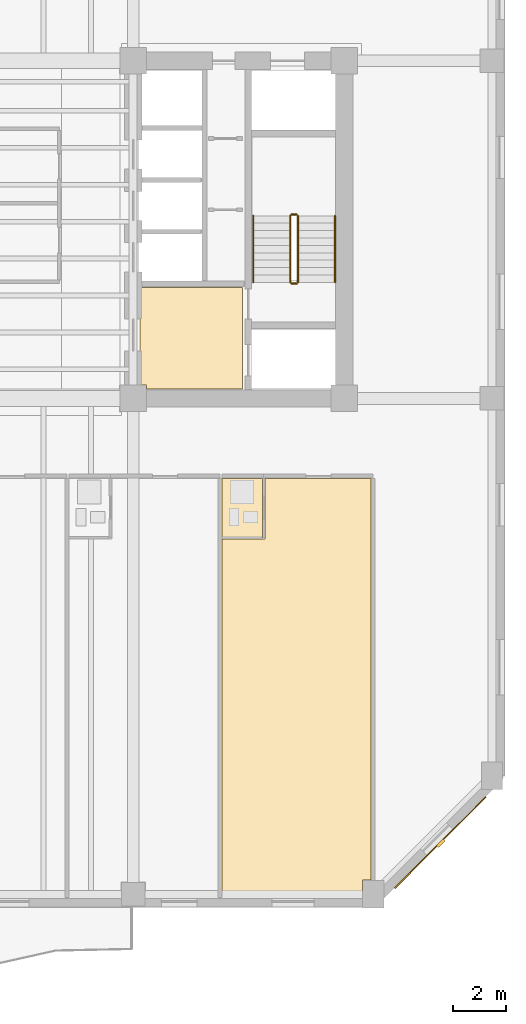
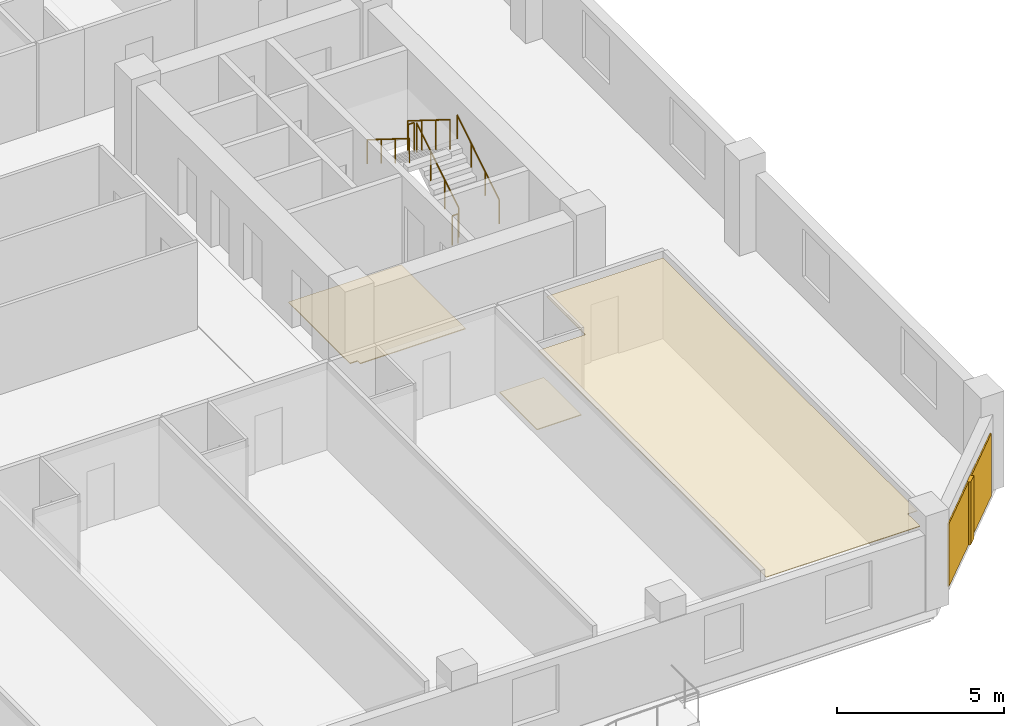
# One storey, part 9 of 11: 6 railings, 4 coverings, 1 shading device.
"""IFC4 building model written with IfcOpenShell, lengths in metres."""

from ifc_helpers import new_model, si_unit, direction, frame, origin, origin_2d, place, context, subcontext, project, spatial, polyline, rectangle, circle, outline, extrude, material, layer, layer_set, type_object, element, save


model = new_model("IFC4")

# Units and contexts
model_context = context("Model", 3, precision=1e-05, world=origin(), true_north=direction((0.0, 1.0)))
body_context = subcontext(model_context, "Body", "Model", "MODEL_VIEW")
ifc_project = project(units=[si_unit("LENGTHUNIT", "METRE"), si_unit("AREAUNIT", "SQUARE_METRE"), si_unit("VOLUMEUNIT", "CUBIC_METRE"), si_unit("PLANEANGLEUNIT", "RADIAN"), si_unit("MASSUNIT", "GRAM", prefix="KILO")], contexts=[model_context])

# Site, building, storey
site_placement = place(None, origin())
site = spatial("IfcSite", under=ifc_project, at=site_placement, CompositionType="ELEMENT")
building_placement = place(site_placement, origin())
building = spatial("IfcBuilding", under=site, at=building_placement, Name="Kranthara Brick Stack", CompositionType="ELEMENT")
storey_placement = place(building_placement, frame((0.0, 0.0, 134.300048828125)))
storey = spatial("IfcBuildingStorey", under=building, at=storey_placement, Name="L33", CompositionType="ELEMENT", Elevation=134.300048828125)

# Coverings
ifc_material_1 = material(Name="Perforated mineral-fibre acoustic ceiling tile", Category="other")
ifc_layer_1 = layer(ifc_material_1, 0.02490234375)
ifc_layer_set_1 = layer_set([ifc_layer_1], Name="Perforated mineral-fibre acoustic ceiling tile")
covering_type_1 = type_object("IfcCoveringType", Name="COV-CEIL-ACOUSTIC", PredefinedType="CEILING", material=ifc_layer_set_1)
covering_1_placement = place(storey_placement, frame((0.0, 0.0, 2.929931640625)))
element("IfcCovering", 1, at=covering_1_placement, inside=storey, type_object=covering_type_1, Name="L33 Room L33-06 Corner Junior Suite Acoustic Ceiling", PredefinedType="CEILING", context=body_context, shape_type="SweptSolid", body=[
    extrude(outline(polyline([(38.573974609375, 1.800048828125), (38.573974609375, 15.4599609375), (40.2041015625, 15.4599609375), (40.2041015625, 17.77001953125), (44.219970703125, 17.77001953125), (44.219970703125, 2.534912109375), (43.889892578125, 2.534912109375), (43.889892578125, 1.800048828125), (38.573974609375, 1.800048828125)])), origin(), (0.0, 0.0, 1.0), 0.02490234375),
])
ifc_material_2 = material(Name="Warm buff kiln-fired brick slip rainscreen", Category="masonry")
ifc_layer_2 = layer(ifc_material_2, 0.044921875)
ifc_layer_set_2 = layer_set([ifc_layer_2], Name="Warm buff kiln-fired brick slip rainscreen")
covering_type_2 = type_object("IfcCoveringType", Name="COV-CLAD-BRICK", PredefinedType="CLADDING", material=ifc_layer_set_2)
covering_2_placement = place(storey_placement, frame((46.84033203125, 3.959716796875, 0.0498046875), z_axis=(0.0, 0.0, 1.0), x_axis=(-0.707106781187, -0.707106781187, 0.0)))
element("IfcCovering", 2, at=covering_2_placement, inside=storey, type_object=covering_type_2, Name="L33 Chamfer Brick Rainscreen Cladding SE", PredefinedType="CLADDING", context=body_context, shape_type="SweptSolid", body=[
    extrude(rectangle(XDim=4.89306640625, YDim=0.044921875, at=origin_2d()), origin(), (0.0, 0.0, 1.0), 2.300048828125),
])
ifc_material_3 = material(Name="Honed terrazzo and porcelain floor finish", Category="stone")
ifc_layer_3 = layer(ifc_material_3, 0.030029296875)
ifc_layer_set_3 = layer_set([ifc_layer_3], Name="Honed terrazzo and porcelain floor finish")
covering_type_3 = type_object("IfcCoveringType", Name="COV-FLOR-STONE", PredefinedType="FLOORING", material=ifc_layer_set_3)
covering_3_placement = place(storey_placement, origin())
element("IfcCovering", 3, at=covering_3_placement, inside=storey, type_object=covering_type_3, Name="L33 Lift Lobby Stone Flooring", PredefinedType="FLOORING", context=body_context, shape_type="SweptSolid", body=[
    extrude(outline(polyline([(35.449951171875, 25.0), (39.35009765625, 25.0), (39.35009765625, 21.14990234375), (35.7099609375, 21.14990234375), (35.7099609375, 21.31005859375), (35.449951171875, 21.31005859375), (35.449951171875, 25.0)])), origin(), (0.0, 0.0, 1.0), 0.030029296875),
])
covering_4_placement = place(storey_placement, origin())
element("IfcCovering", 4, at=covering_4_placement, inside=storey, type_object=covering_type_3, Name="L33 Wet Room Porcelain Flooring", PredefinedType="FLOORING", context=body_context, shape_type="SweptSolid", body=[
    extrude(outline(polyline([(38.573974609375, 15.52001953125), (38.573974609375, 17.77001953125), (40.10400390625, 17.77001953125), (40.10400390625, 15.52001953125), (38.573974609375, 15.52001953125)])), origin(), (0.0, 0.0, 1.0), 0.030029296875),
])

# Railings
ifc_material_4 = material(Name="Painted galvanized steel stair guardrail", Category="steel")
railing_type_1 = type_object("IfcRailingType", Name="RL-STAIR-GUARD-1100", PredefinedType="GUARDRAIL", material=ifc_material_4)
railing_1_placement = place(storey_placement, frame((41.449951171875, 25.199951171875, 0.175048828125)))
element("IfcRailing", 5, at=railing_1_placement, inside=storey, type_object=railing_type_1, Name="L33 ST02 stair guard 1", PredefinedType="GUARDRAIL", context=body_context, shape_type="SweptSolid", body=[
    extrude(circle(Radius=0.02392578125, at=origin_2d()), frame((0.0, 0.0, 1.076171875), z_axis=(0.0, 0.848007534815, 0.529984170421), x_axis=(-1.0, 0.0, 0.0)), (0.0, 0.0, 1.0), 2.9716796875),
    extrude(circle(Radius=0.02099609375, at=origin_2d()), origin(), (0.0, 0.0, 1.0), 1.052001953125),
    extrude(circle(Radius=0.02099609375, at=origin_2d()), frame((0.0, 0.840087890625, 0.52490234375)), (0.0, 0.0, 1.0), 1.052001953125),
    extrude(circle(Radius=0.02099609375, at=origin_2d()), frame((0.0, 1.679931640625, 1.050048828125)), (0.0, 0.0, 1.0), 1.052001953125),
    extrude(circle(Radius=0.02099609375, at=origin_2d()), frame((0.0, 2.52001953125, 1.574951171875)), (0.0, 0.0, 1.0), 1.052001953125),
])
railing_2_placement = place(storey_placement, frame((41.39990234375, 27.77001953125, 1.75)))
element("IfcRailing", 6, at=railing_2_placement, inside=storey, type_object=railing_type_1, Name="L33 ST02 stair guard 2", PredefinedType="GUARDRAIL", context=body_context, shape_type="SweptSolid", body=[
    extrude(circle(Radius=0.02392578125, at=origin_2d()), frame((0.0, 0.0, 1.076171875), z_axis=(-1.0, 0.0, 0.0), x_axis=(0.0, -1.0, 0.0)), (0.0, 0.0, 1.0), 0.199951171875),
    extrude(circle(Radius=0.02099609375, at=origin_2d()), origin(), (0.0, 0.0, 1.0), 1.052001953125),
    extrude(circle(Radius=0.02099609375, at=origin_2d()), frame((-0.199951171875, 0.0, 0.0)), (0.0, 0.0, 1.0), 1.052001953125),
])
railing_3_placement = place(storey_placement, frame((41.14990234375, 27.719970703125, 1.925048828125)))
element("IfcRailing", 7, at=railing_3_placement, inside=storey, type_object=railing_type_1, Name="L33 ST02 stair guard 3", PredefinedType="GUARDRAIL", context=body_context, shape_type="SweptSolid", body=[
    extrude(circle(Radius=0.02392578125, at=origin_2d()), frame((0.0, 0.0, 1.076171875), z_axis=(0.0, -0.848007534815, 0.529984170421), x_axis=(1.0, 0.0, 0.0)), (0.0, 0.0, 1.0), 2.9716796875),
    extrude(circle(Radius=0.02099609375, at=origin_2d()), origin(), (0.0, 0.0, 1.0), 1.052001953125),
    extrude(circle(Radius=0.02099609375, at=origin_2d()), frame((0.0, -0.840087890625, 0.52490234375)), (0.0, 0.0, 1.0), 1.052001953125),
    extrude(circle(Radius=0.02099609375, at=origin_2d()), frame((0.0, -1.679931640625, 1.050048828125)), (0.0, 0.0, 1.0), 1.052001953125),
    extrude(circle(Radius=0.02099609375, at=origin_2d()), frame((0.0, -2.52001953125, 1.574951171875)), (0.0, 0.0, 1.0), 1.052001953125),
])
railing_4_placement = place(storey_placement, frame((41.39990234375, 25.14990234375, 0.0)))
element("IfcRailing", 8, at=railing_4_placement, inside=storey, type_object=railing_type_1, Name="L33 ST02 stair guard 4", PredefinedType="GUARDRAIL", context=body_context, shape_type="SweptSolid", body=[
    extrude(circle(Radius=0.02392578125, at=origin_2d()), frame((0.0, 0.0, 1.076171875), z_axis=(-1.0, 0.0, 0.0), x_axis=(0.0, -1.0, 0.0)), (0.0, 0.0, 1.0), 0.199951171875),
    extrude(circle(Radius=0.02099609375, at=origin_2d()), origin(), (0.0, 0.0, 1.0), 1.052001953125),
    extrude(circle(Radius=0.02099609375, at=origin_2d()), frame((-0.199951171875, 0.0, 0.0)), (0.0, 0.0, 1.0), 1.052001953125),
])
ifc_material_5 = material(Name="Brushed stainless steel tubular handrail", Category="steel")
railing_type_2 = type_object("IfcRailingType", Name="RL-STAIR-HAND-900", PredefinedType="HANDRAIL", material=ifc_material_5)
railing_5_placement = place(storey_placement, frame((42.85009765625, 25.199951171875, 0.175048828125)))
element("IfcRailing", 9, at=railing_5_placement, inside=storey, type_object=railing_type_2, Name="L33 ST02 stair handrail 1", PredefinedType="HANDRAIL", context=body_context, shape_type="SweptSolid", body=[
    extrude(circle(Radius=0.02392578125, at=origin_2d()), frame((0.0, 0.0, 0.8759765625), z_axis=(0.0, 0.848007534815, 0.529984170421), x_axis=(-1.0, 0.0, 0.0)), (0.0, 0.0, 1.0), 2.9716796875),
    extrude(circle(Radius=0.02099609375, at=origin_2d()), origin(), (0.0, 0.0, 1.0), 0.851806640625),
    extrude(circle(Radius=0.02099609375, at=origin_2d()), frame((0.0, 0.840087890625, 0.52490234375)), (0.0, 0.0, 1.0), 0.851806640625),
    extrude(circle(Radius=0.02099609375, at=origin_2d()), frame((0.0, 1.679931640625, 1.050048828125)), (0.0, 0.0, 1.0), 0.851806640625),
    extrude(circle(Radius=0.02099609375, at=origin_2d()), frame((0.0, 2.52001953125, 1.574951171875)), (0.0, 0.0, 1.0), 0.851806640625),
])
railing_6_placement = place(storey_placement, frame((39.75, 27.719970703125, 1.925048828125)))
element("IfcRailing", 10, at=railing_6_placement, inside=storey, type_object=railing_type_2, Name="L33 ST02 stair handrail 2", PredefinedType="HANDRAIL", context=body_context, shape_type="SweptSolid", body=[
    extrude(circle(Radius=0.02392578125, at=origin_2d()), frame((0.0, 0.0, 0.8759765625), z_axis=(0.0, -0.848007534815, 0.529984170421), x_axis=(1.0, 0.0, 0.0)), (0.0, 0.0, 1.0), 2.9716796875),
    extrude(circle(Radius=0.02099609375, at=origin_2d()), origin(), (0.0, 0.0, 1.0), 0.851806640625),
    extrude(circle(Radius=0.02099609375, at=origin_2d()), frame((0.0, -0.840087890625, 0.52490234375)), (0.0, 0.0, 1.0), 0.851806640625),
    extrude(circle(Radius=0.02099609375, at=origin_2d()), frame((0.0, -1.679931640625, 1.050048828125)), (0.0, 0.0, 1.0), 0.851806640625),
    extrude(circle(Radius=0.02099609375, at=origin_2d()), frame((0.0, -2.52001953125, 1.574951171875)), (0.0, 0.0, 1.0), 0.851806640625),
])

# Shading device
ifc_material_6 = material(Name="Kiln-fired terracotta aerodynamic wind fin", Category="masonry")
shading_device_type = type_object("IfcShadingDeviceType", Name="SHD-BAFFLE-CORNER", PredefinedType="SHUTTER", material=ifc_material_6)
shading_device_placement = place(storey_placement, frame((46.861572265625, 3.9384765625, 0.0498046875), z_axis=(0.0, 0.0, 1.0), x_axis=(-0.707106781187, -0.707106781187, 0.0)))
element("IfcShadingDevice", 11, at=shading_device_placement, inside=storey, type_object=shading_device_type, Name="L33 Chamfer Wind-Baffle Fin SE", PredefinedType="SHUTTER", context=body_context, shape_type="SweptSolid", body=[
    extrude(rectangle(XDim=0.35009765625, YDim=0.1201171875, at=origin_2d()), origin(), (0.0, 0.0, 1.0), 2.300048828125),
])

save(model, "model.ifc")
